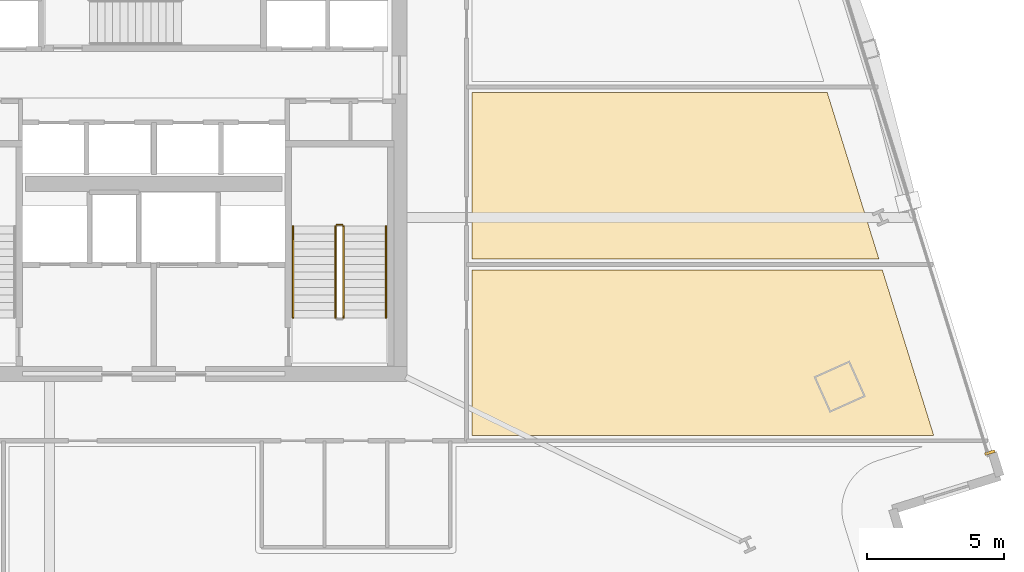
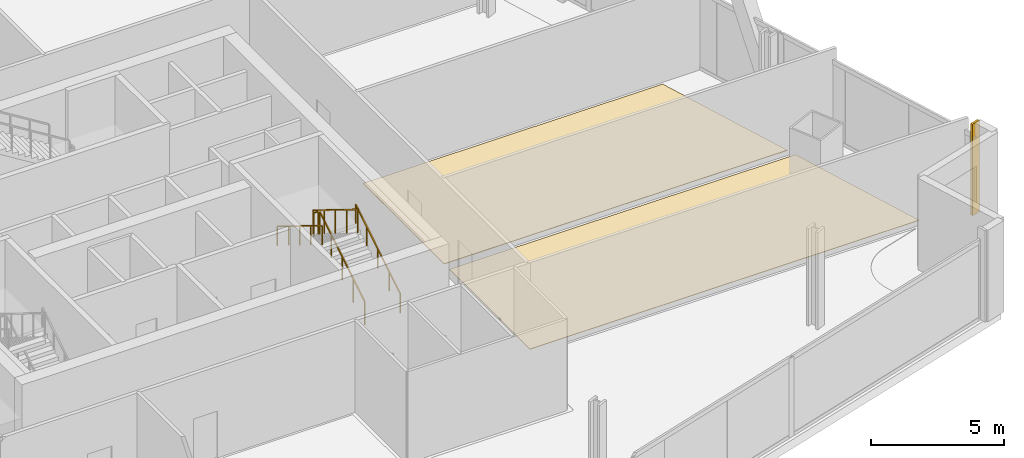
# One storey, part 23 of 26: 5 railings, 3 coverings.
"""IFC4 building model written with IfcOpenShell, lengths in metres."""

from ifc_helpers import new_model, si_unit, direction, frame, origin, origin_2d, place, context, subcontext, project, spatial, polyline, rectangle, outline, extrude, source, transform, mapped, material, layer, layer_set, type_object, element, save


model = new_model("IFC4")

# Units and contexts
model_context = context("Model", 3, precision=1e-05, world=origin(), true_north=direction((0.0, 1.0)))
body_context = subcontext(model_context, "Body", "Model", "MODEL_VIEW")
ifc_project = project(units=[si_unit("LENGTHUNIT", "METRE"), si_unit("AREAUNIT", "SQUARE_METRE"), si_unit("VOLUMEUNIT", "CUBIC_METRE"), si_unit("PLANEANGLEUNIT", "RADIAN"), si_unit("MASSUNIT", "GRAM", prefix="KILO")], contexts=[model_context])

# Site, building, storey
site_placement = place(None, origin())
site = spatial("IfcSite", under=ifc_project, at=site_placement, CompositionType="ELEMENT")
building_placement = place(site_placement, origin())
building = spatial("IfcBuilding", under=site, at=building_placement, Name="Haldenkirk Collegiate Tower", CompositionType="ELEMENT")
storey_placement = place(building_placement, frame((0.0, 0.0, 85.949951171875)))
storey = spatial("IfcBuildingStorey", under=building, at=storey_placement, Name="L20", CompositionType="ELEMENT", Elevation=85.949951171875)

# Coverings
ifc_material_1 = material(Name="Polished collegiate terrazzo", Category="concrete")
ifc_layer_1 = layer(ifc_material_1, 0.02490234375)
ifc_layer_set_1 = layer_set([ifc_layer_1], Name="Polished collegiate terrazzo")
covering_type_1 = type_object("IfcCoveringType", Name="COV-FLOOR-TERRAZZO", PredefinedType="FLOORING", material=ifc_layer_set_1)
covering_1_placement = place(storey_placement, origin())
element("IfcCovering", 1, at=covering_1_placement, inside=storey, type_object=covering_type_1, Name="L20 academic room finish 10", PredefinedType="FLOORING", context=body_context, shape_type="SweptSolid", body=[
    extrude(outline(polyline([(62.55126953125, 22.199951171875), (47.64990234375, 22.199951171875), (47.64990234375, 28.300048828125), (60.656982421875, 28.300048828125), (62.55126953125, 22.199951171875)])), origin(), (0.0, 0.0, 1.0), 0.025146484375),
])
ifc_material_2 = material(Name="Engineered collegiate oak acoustic flooring", Category="wood")
ifc_layer_2 = layer(ifc_material_2, 0.02197265625)
ifc_layer_set_2 = layer_set([ifc_layer_2], Name="Engineered collegiate oak acoustic flooring")
covering_type_2 = type_object("IfcCoveringType", Name="COV-FLOOR-TIMBER", PredefinedType="FLOORING", material=ifc_layer_set_2)
covering_2_placement = place(storey_placement, origin())
element("IfcCovering", 2, at=covering_2_placement, inside=storey, type_object=covering_type_2, Name="L20 academic room finish 09", PredefinedType="FLOORING", context=body_context, shape_type="SweptSolid", body=[
    extrude(outline(polyline([(64.553955078125, 15.75), (47.64990234375, 15.75), (47.64990234375, 21.800048828125), (62.67529296875, 21.800048828125), (64.553955078125, 15.75)])), origin(), (0.0, 0.0, 1.0), 0.02197265625),
])

# Railings
ifc_material_3 = material(Name="Painted architectural tubular steel", Category="steel")
railing_type_1 = type_object("IfcRailingType", Name="RLG-STAIR-GUARD-1100", PredefinedType="BALUSTRADE", material=ifc_material_3)
railing_1_placement = place(storey_placement, frame((42.949951171875, 20.050048828125, 0.173095703125)))
element("IfcRailing", 3, at=railing_1_placement, inside=storey, type_object=railing_type_1, Name="L20 ST-2 stair guard 1", PredefinedType="BALUSTRADE", context=body_context, shape_type="SweptSolid", body=[
    extrude(rectangle(XDim=0.048095703125, YDim=0.048095703125, at=origin_2d()), frame((0.0, 0.0, 1.076171875), z_axis=(0.0, 0.850606129759, 0.525803396734), x_axis=(-1.0, 0.0, 0.0)), (0.0, 0.0, 1.0), 3.949951171875),
    extrude(rectangle(XDim=0.0419921875, YDim=0.0419921875, at=origin_2d()), origin(), (0.0, 0.0, 1.0), 1.052001953125),
    extrude(rectangle(XDim=0.0419921875, YDim=0.0419921875, at=origin_2d()), frame((0.0, 0.83984375, 0.519287109375)), (0.0, 0.0, 1.0), 1.052001953125),
    extrude(rectangle(XDim=0.0419921875, YDim=0.0419921875, at=origin_2d()), frame((0.0, 1.679931640625, 1.03857421875)), (0.0, 0.0, 1.0), 1.052001953125),
    extrude(rectangle(XDim=0.0419921875, YDim=0.0419921875, at=origin_2d()), frame((0.0, 2.52001953125, 1.5576171875)), (0.0, 0.0, 1.0), 1.052001953125),
    extrude(rectangle(XDim=0.0419921875, YDim=0.0419921875, at=origin_2d()), frame((0.0, 3.35986328125, 2.076904296875)), (0.0, 0.0, 1.0), 1.052001953125),
])
railing_2_placement = place(storey_placement, frame((42.89990234375, 23.4599609375, 2.25)))
element("IfcRailing", 4, at=railing_2_placement, inside=storey, type_object=railing_type_1, Name="L20 ST-2 stair guard 2", PredefinedType="BALUSTRADE", context=body_context, shape_type="SweptSolid", body=[
    extrude(rectangle(XDim=0.048095703125, YDim=0.048095703125, at=origin_2d()), frame((0.0, 0.0, 1.076171875), z_axis=(-1.0, 0.0, 0.0), x_axis=(0.0, -1.0, 0.0)), (0.0, 0.0, 1.0), 0.199951171875),
    extrude(rectangle(XDim=0.0419921875, YDim=0.0419921875, at=origin_2d()), origin(), (0.0, 0.0, 1.0), 1.052001953125),
    extrude(rectangle(XDim=0.0419921875, YDim=0.0419921875, at=origin_2d()), frame((-0.199951171875, 0.0, 0.0)), (0.0, 0.0, 1.0), 1.052001953125),
])
railing_3_placement = place(storey_placement, frame((42.64990234375, 23.409912109375, 2.423095703125)))
element("IfcRailing", 5, at=railing_3_placement, inside=storey, type_object=railing_type_1, Name="L20 ST-2 stair guard 3", PredefinedType="BALUSTRADE", context=body_context, shape_type="SweptSolid", body=[
    extrude(rectangle(XDim=0.048095703125, YDim=0.048095703125, at=origin_2d()), frame((0.0, 0.0, 1.076171875), z_axis=(0.0, -0.850606129759, 0.525803396734), x_axis=(1.0, 0.0, 0.0)), (0.0, 0.0, 1.0), 3.949951171875),
    extrude(rectangle(XDim=0.0419921875, YDim=0.0419921875, at=origin_2d()), origin(), (0.0, 0.0, 1.0), 1.052001953125),
    extrude(rectangle(XDim=0.0419921875, YDim=0.0419921875, at=origin_2d()), frame((0.0, -0.83984375, 0.519287109375)), (0.0, 0.0, 1.0), 1.052001953125),
    extrude(rectangle(XDim=0.0419921875, YDim=0.0419921875, at=origin_2d()), frame((0.0, -1.679931640625, 1.03857421875)), (0.0, 0.0, 1.0), 1.052001953125),
    extrude(rectangle(XDim=0.0419921875, YDim=0.0419921875, at=origin_2d()), frame((0.0, -2.52001953125, 1.5576171875)), (0.0, 0.0, 1.0), 1.052001953125),
    extrude(rectangle(XDim=0.0419921875, YDim=0.0419921875, at=origin_2d()), frame((0.0, -3.35986328125, 2.076904296875)), (0.0, 0.0, 1.0), 1.052001953125),
])
railing_type_2 = type_object("IfcRailingType", Name="RLG-STAIR-HANDRAIL-900", PredefinedType="HANDRAIL", material=ifc_material_3)
railing_4_placement = place(storey_placement, frame((44.5, 20.050048828125, 0.173095703125)))
element("IfcRailing", 6, at=railing_4_placement, inside=storey, type_object=railing_type_2, Name="L20 ST-2 stair handrail 1", PredefinedType="HANDRAIL", context=body_context, shape_type="SweptSolid", body=[
    extrude(rectangle(XDim=0.048095703125, YDim=0.048095703125, at=origin_2d()), frame((0.0, 0.0, 0.8759765625), z_axis=(0.0, 0.850606129759, 0.525803396734), x_axis=(-1.0, 0.0, 0.0)), (0.0, 0.0, 1.0), 3.949951171875),
    extrude(rectangle(XDim=0.0419921875, YDim=0.0419921875, at=origin_2d()), origin(), (0.0, 0.0, 1.0), 0.851806640625),
    extrude(rectangle(XDim=0.0419921875, YDim=0.0419921875, at=origin_2d()), frame((0.0, 0.83984375, 0.519287109375)), (0.0, 0.0, 1.0), 0.851806640625),
    extrude(rectangle(XDim=0.0419921875, YDim=0.0419921875, at=origin_2d()), frame((0.0, 1.679931640625, 1.03857421875)), (0.0, 0.0, 1.0), 0.851806640625),
    extrude(rectangle(XDim=0.0419921875, YDim=0.0419921875, at=origin_2d()), frame((0.0, 2.52001953125, 1.5576171875)), (0.0, 0.0, 1.0), 0.851806640625),
    extrude(rectangle(XDim=0.0419921875, YDim=0.0419921875, at=origin_2d()), frame((0.0, 3.35986328125, 2.076904296875)), (0.0, 0.0, 1.0), 0.851806640625),
])
railing_5_placement = place(storey_placement, frame((41.10009765625, 23.409912109375, 2.423095703125)))
element("IfcRailing", 7, at=railing_5_placement, inside=storey, type_object=railing_type_2, Name="L20 ST-2 stair handrail 2", PredefinedType="HANDRAIL", context=body_context, shape_type="SweptSolid", body=[
    extrude(rectangle(XDim=0.048095703125, YDim=0.048095703125, at=origin_2d()), frame((0.0, 0.0, 0.8759765625), z_axis=(0.0, -0.850606129759, 0.525803396734), x_axis=(1.0, 0.0, 0.0)), (0.0, 0.0, 1.0), 3.949951171875),
    extrude(rectangle(XDim=0.0419921875, YDim=0.0419921875, at=origin_2d()), origin(), (0.0, 0.0, 1.0), 0.851806640625),
    extrude(rectangle(XDim=0.0419921875, YDim=0.0419921875, at=origin_2d()), frame((0.0, -0.83984375, 0.519287109375)), (0.0, 0.0, 1.0), 0.851806640625),
    extrude(rectangle(XDim=0.0419921875, YDim=0.0419921875, at=origin_2d()), frame((0.0, -1.679931640625, 1.03857421875)), (0.0, 0.0, 1.0), 0.851806640625),
    extrude(rectangle(XDim=0.0419921875, YDim=0.0419921875, at=origin_2d()), frame((0.0, -2.52001953125, 1.5576171875)), (0.0, 0.0, 1.0), 0.851806640625),
    extrude(rectangle(XDim=0.0419921875, YDim=0.0419921875, at=origin_2d()), frame((0.0, -3.35986328125, 2.076904296875)), (0.0, 0.0, 1.0), 0.851806640625),
])

# Covering
ifc_material_4 = material(Name="Anodised architectural bronze aluminium", Category="aluminium")
ifc_layer_3 = layer(ifc_material_4, 0.06005859375)
ifc_layer_set_3 = layer_set([ifc_layer_3], Name="Anodised architectural bronze aluminium")
covering_type_3 = type_object("IfcCoveringType", Name="COV-CLAD-BRONZE-60", PredefinedType="CLADDING", material=ifc_layer_set_3)
shared_shape = source(origin(), body_context, "Body", "SweptSolid", [
    extrude(rectangle(XDim=0.10009765625, YDim=0.3798828125, at=origin_2d()), origin(), (0.0, 0.0, 1.0), 4.199951171875),
])
covering_3_placement = place(storey_placement, frame((66.61376953125, 15.118896484375, 0.0), z_axis=(0.0, 0.0, 1.0), x_axis=(0.296541574976, -0.955019944457, 0.0)))
element("IfcCovering", 8, at=covering_3_placement, inside=storey, type_object=covering_type_3, Name="L20 recessed curtain-wall bronze jamb closure EJR", PredefinedType="CLADDING", context=body_context, shape_type="MappedRepresentation", body=[
    mapped(shared_shape, transform((0.0, 0.0, 0.0), x_axis=(1.0, 0.0, 0.0), y_axis=(0.0, 1.0, 0.0), z_axis=(0.0, 0.0, 1.0), scale=1.0)),
])

save(model, "model.ifc")
